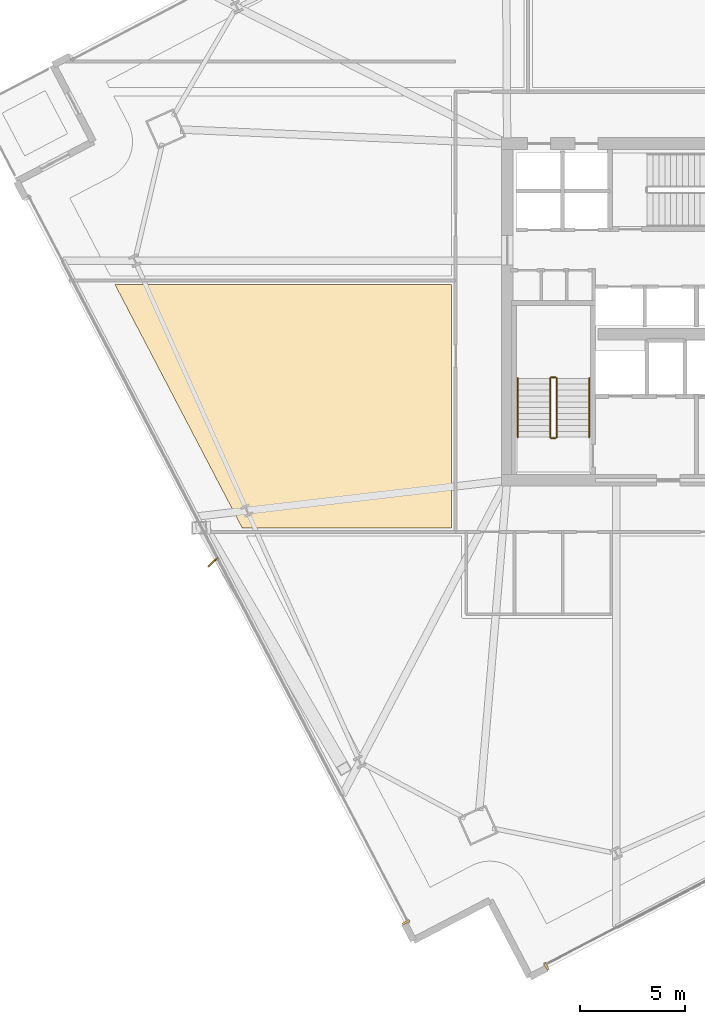
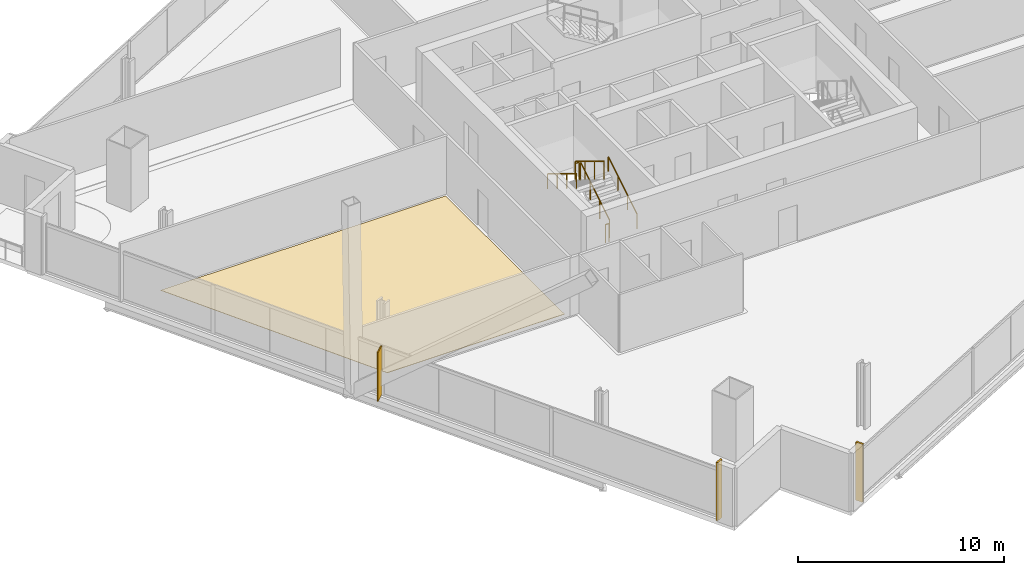
# One storey, part 29 of 33: 6 railings, 3 coverings, 1 shading device.
"""IFC4 building model written with IfcOpenShell, lengths in metres."""

from ifc_helpers import new_model, si_unit, direction, frame, origin, origin_2d, place, context, subcontext, project, spatial, polyline, rectangle, outline, extrude, source, transform, mapped, material, layer, layer_set, type_object, element, save


model = new_model("IFC4")

# Units and contexts
model_context = context("Model", 3, precision=1e-05, world=origin(), true_north=direction((0.0, 1.0)))
body_context = subcontext(model_context, "Body", "Model", "MODEL_VIEW")
ifc_project = project(units=[si_unit("LENGTHUNIT", "METRE"), si_unit("AREAUNIT", "SQUARE_METRE"), si_unit("VOLUMEUNIT", "CUBIC_METRE"), si_unit("PLANEANGLEUNIT", "RADIAN"), si_unit("MASSUNIT", "GRAM", prefix="KILO")], contexts=[model_context])

# Site, building, storey
site_placement = place(None, origin())
site = spatial("IfcSite", under=ifc_project, at=site_placement, CompositionType="ELEMENT")
building_placement = place(site_placement, origin())
building = spatial("IfcBuilding", under=site, at=building_placement, Name="Haldenkirk Collegiate Tower", CompositionType="ELEMENT")
storey_placement = place(building_placement, frame((0.0, 0.0, 120.449951171875)))
storey = spatial("IfcBuildingStorey", under=building, at=storey_placement, Name="L29", CompositionType="ELEMENT", Elevation=120.449951171875)

# Covering
ifc_material_1 = material(Name="Engineered collegiate oak acoustic flooring", Category="wood")
ifc_layer_1 = layer(ifc_material_1, 0.02197265625)
ifc_layer_set_1 = layer_set([ifc_layer_1], Name="Engineered collegiate oak acoustic flooring")
covering_type_1 = type_object("IfcCoveringType", Name="COV-FLOOR-TIMBER", PredefinedType="FLOORING", material=ifc_layer_set_1)
covering_placement = place(storey_placement, origin())
element("IfcCovering", 1, at=covering_placement, inside=storey, type_object=covering_type_1, Name="L29 academic room finish 05", PredefinedType="FLOORING", context=body_context, shape_type="SweptSolid", body=[
    extrude(outline(polyline([(8.3740234375, 27.300048828125), (24.35009765625, 27.300048828125), (24.35009765625, 15.75), (14.412109375, 15.75), (8.3740234375, 27.300048828125)])), origin(), (0.0, 0.0, 1.0), 0.02197265625),
])

# Railings
ifc_material_2 = material(Name="Painted architectural tubular steel", Category="steel")
railing_type_1 = type_object("IfcRailingType", Name="RLG-STAIR-GUARD-1100", PredefinedType="BALUSTRADE", material=ifc_material_2)
railing_1_placement = place(storey_placement, frame((29.35009765625, 20.050048828125, 0.17041015625)))
element("IfcRailing", 2, at=railing_1_placement, inside=storey, type_object=railing_type_1, Name="L29 ST-1 stair guard 1", PredefinedType="BALUSTRADE", context=body_context, shape_type="SweptSolid", body=[
    extrude(rectangle(XDim=0.048095703125, YDim=0.048095703125, at=origin_2d()), frame((0.0, 0.0, 1.076171875), z_axis=(0.0, 0.854169791009, 0.51999420009), x_axis=(-1.0, 0.0, 0.0)), (0.0, 0.0, 1.0), 3.278076171875),
    extrude(rectangle(XDim=0.0419921875, YDim=0.0419921875, at=origin_2d()), origin(), (0.0, 0.0, 1.0), 1.052001953125),
    extrude(rectangle(XDim=0.0419921875, YDim=0.0419921875, at=origin_2d()), frame((0.0, 0.933349609375, 0.568115234375)), (0.0, 0.0, 1.0), 1.052001953125),
    extrude(rectangle(XDim=0.0419921875, YDim=0.0419921875, at=origin_2d()), frame((0.0, 1.86669921875, 1.136474609375)), (0.0, 0.0, 1.0), 1.052001953125),
    extrude(rectangle(XDim=0.0419921875, YDim=0.0419921875, at=origin_2d()), frame((0.0, 2.800048828125, 1.70458984375)), (0.0, 0.0, 1.0), 1.052001953125),
])
railing_2_placement = place(storey_placement, frame((29.300048828125, 22.89990234375, 1.875)))
element("IfcRailing", 3, at=railing_2_placement, inside=storey, type_object=railing_type_1, Name="L29 ST-1 stair guard 2", PredefinedType="BALUSTRADE", context=body_context, shape_type="SweptSolid", body=[
    extrude(rectangle(XDim=0.048095703125, YDim=0.048095703125, at=origin_2d()), frame((0.0, 0.0, 1.076171875), z_axis=(-1.0, 0.0, 0.0), x_axis=(0.0, -1.0, 0.0)), (0.0, 0.0, 1.0), 0.199951171875),
    extrude(rectangle(XDim=0.0419921875, YDim=0.0419921875, at=origin_2d()), origin(), (0.0, 0.0, 1.0), 1.052001953125),
    extrude(rectangle(XDim=0.0419921875, YDim=0.0419921875, at=origin_2d()), frame((-0.199951171875, 0.0, 0.0)), (0.0, 0.0, 1.0), 1.052001953125),
])
railing_3_placement = place(storey_placement, frame((29.050048828125, 22.85009765625, 2.04541015625)))
element("IfcRailing", 4, at=railing_3_placement, inside=storey, type_object=railing_type_1, Name="L29 ST-1 stair guard 3", PredefinedType="BALUSTRADE", context=body_context, shape_type="SweptSolid", body=[
    extrude(rectangle(XDim=0.048095703125, YDim=0.048095703125, at=origin_2d()), frame((0.0, 0.0, 1.076171875), z_axis=(0.0, -0.854169791009, 0.51999420009), x_axis=(1.0, 0.0, 0.0)), (0.0, 0.0, 1.0), 3.278076171875),
    extrude(rectangle(XDim=0.0419921875, YDim=0.0419921875, at=origin_2d()), origin(), (0.0, 0.0, 1.0), 1.052001953125),
    extrude(rectangle(XDim=0.0419921875, YDim=0.0419921875, at=origin_2d()), frame((0.0, -0.933349609375, 0.568115234375)), (0.0, 0.0, 1.0), 1.052001953125),
    extrude(rectangle(XDim=0.0419921875, YDim=0.0419921875, at=origin_2d()), frame((0.0, -1.86669921875, 1.136474609375)), (0.0, 0.0, 1.0), 1.052001953125),
    extrude(rectangle(XDim=0.0419921875, YDim=0.0419921875, at=origin_2d()), frame((0.0, -2.800048828125, 1.70458984375)), (0.0, 0.0, 1.0), 1.052001953125),
])
railing_4_placement = place(storey_placement, frame((29.300048828125, 20.0, 0.0)))
element("IfcRailing", 5, at=railing_4_placement, inside=storey, type_object=railing_type_1, Name="L29 ST-1 stair guard 4", PredefinedType="BALUSTRADE", context=body_context, shape_type="SweptSolid", body=[
    extrude(rectangle(XDim=0.048095703125, YDim=0.048095703125, at=origin_2d()), frame((0.0, 0.0, 1.076171875), z_axis=(-1.0, 0.0, 0.0), x_axis=(0.0, -1.0, 0.0)), (0.0, 0.0, 1.0), 0.199951171875),
    extrude(rectangle(XDim=0.0419921875, YDim=0.0419921875, at=origin_2d()), origin(), (0.0, 0.0, 1.0), 1.052001953125),
    extrude(rectangle(XDim=0.0419921875, YDim=0.0419921875, at=origin_2d()), frame((-0.199951171875, 0.0, 0.0)), (0.0, 0.0, 1.0), 1.052001953125),
])
railing_type_2 = type_object("IfcRailingType", Name="RLG-STAIR-HANDRAIL-900", PredefinedType="HANDRAIL", material=ifc_material_2)
railing_5_placement = place(storey_placement, frame((30.89990234375, 20.050048828125, 0.17041015625)))
element("IfcRailing", 6, at=railing_5_placement, inside=storey, type_object=railing_type_2, Name="L29 ST-1 stair handrail 1", PredefinedType="HANDRAIL", context=body_context, shape_type="SweptSolid", body=[
    extrude(rectangle(XDim=0.048095703125, YDim=0.048095703125, at=origin_2d()), frame((0.0, 0.0, 0.8759765625), z_axis=(0.0, 0.854169791009, 0.51999420009), x_axis=(-1.0, 0.0, 0.0)), (0.0, 0.0, 1.0), 3.278076171875),
    extrude(rectangle(XDim=0.0419921875, YDim=0.0419921875, at=origin_2d()), origin(), (0.0, 0.0, 1.0), 0.851806640625),
    extrude(rectangle(XDim=0.0419921875, YDim=0.0419921875, at=origin_2d()), frame((0.0, 0.933349609375, 0.568115234375)), (0.0, 0.0, 1.0), 0.851806640625),
    extrude(rectangle(XDim=0.0419921875, YDim=0.0419921875, at=origin_2d()), frame((0.0, 1.86669921875, 1.136474609375)), (0.0, 0.0, 1.0), 0.851806640625),
    extrude(rectangle(XDim=0.0419921875, YDim=0.0419921875, at=origin_2d()), frame((0.0, 2.800048828125, 1.70458984375)), (0.0, 0.0, 1.0), 0.851806640625),
])
railing_6_placement = place(storey_placement, frame((27.5, 22.85009765625, 2.04541015625)))
element("IfcRailing", 7, at=railing_6_placement, inside=storey, type_object=railing_type_2, Name="L29 ST-1 stair handrail 2", PredefinedType="HANDRAIL", context=body_context, shape_type="SweptSolid", body=[
    extrude(rectangle(XDim=0.048095703125, YDim=0.048095703125, at=origin_2d()), frame((0.0, 0.0, 0.8759765625), z_axis=(0.0, -0.854169791009, 0.51999420009), x_axis=(1.0, 0.0, 0.0)), (0.0, 0.0, 1.0), 3.278076171875),
    extrude(rectangle(XDim=0.0419921875, YDim=0.0419921875, at=origin_2d()), origin(), (0.0, 0.0, 1.0), 0.851806640625),
    extrude(rectangle(XDim=0.0419921875, YDim=0.0419921875, at=origin_2d()), frame((0.0, -0.933349609375, 0.568115234375)), (0.0, 0.0, 1.0), 0.851806640625),
    extrude(rectangle(XDim=0.0419921875, YDim=0.0419921875, at=origin_2d()), frame((0.0, -1.86669921875, 1.136474609375)), (0.0, 0.0, 1.0), 0.851806640625),
    extrude(rectangle(XDim=0.0419921875, YDim=0.0419921875, at=origin_2d()), frame((0.0, -2.800048828125, 1.70458984375)), (0.0, 0.0, 1.0), 0.851806640625),
])

# Coverings
ifc_material_3 = material(Name="Anodised architectural bronze aluminium", Category="aluminium")
ifc_layer_2 = layer(ifc_material_3, 0.06005859375)
ifc_layer_set_2 = layer_set([ifc_layer_2], Name="Anodised architectural bronze aluminium")
covering_type_2 = type_object("IfcCoveringType", Name="COV-CLAD-BRONZE-60", PredefinedType="CLADDING", material=ifc_layer_set_2)
shared_shape_1 = source(origin(), body_context, "Body", "SweptSolid", [
    extrude(rectangle(XDim=0.10009765625, YDim=0.3798828125, at=origin_2d()), origin(), (0.0, 0.0, 1.0), 3.449951171875),
])
for number, where, z_axis, x_axis, name in (
    (8, (28.865966796875, -5.07666015625, 0.0), (0.0, 0.0, 1.0), (-0.886203579231, -0.46329603512, 0.0), "L29 recessed curtain-wall bronze jamb closure SJR"),
    (9, (22.19921875, -2.9873046875, 0.0), (0.0, 0.0, 1.0), (-0.46329603512, 0.886203579231, 0.0), "L29 recessed curtain-wall bronze jamb closure WJL"),
):
    element("IfcCovering", number, at=place(storey_placement, frame(where, z_axis=z_axis, x_axis=x_axis)), inside=storey, type_object=covering_type_2, Name=name, PredefinedType="CLADDING", context=body_context, shape_type="MappedRepresentation", body=[
        mapped(shared_shape_1, transform((0.0, 0.0, 0.0), x_axis=(1.0, 0.0, 0.0), y_axis=(0.0, 1.0, 0.0), z_axis=(0.0, 0.0, 1.0), scale=1.0)),
    ])

# Shading device
ifc_layer_3 = layer(ifc_material_3, 0.06494140625)
ifc_layer_set_3 = layer_set([ifc_layer_3], Name="Anodised architectural bronze aluminium")
shading_device_type = type_object("IfcShadingDeviceType", Name="SHD-FIN-BRONZE-620", PredefinedType="USERDEFINED", material=ifc_layer_set_3)
shared_shape_2 = source(origin(), body_context, "Body", "SweptSolid", [
    extrude(rectangle(XDim=0.6201171875, YDim=0.06494140625, at=origin_2d()), origin(), (0.0, 0.0, 1.0), 2.90087890625),
])
shading_device_placement = place(storey_placement, frame((13.026123046875, 14.11669921875, 0.0), z_axis=(0.0, 0.0, 1.0), x_axis=(-0.724171861437, -0.689619543736, 0.0)))
element("IfcShadingDevice", 10, at=shading_device_placement, inside=storey, type_object=shading_device_type, Name="L29 folded bronze solar fin 1", ObjectType="FIN", PredefinedType="USERDEFINED", context=body_context, shape_type="MappedRepresentation", body=[
    mapped(shared_shape_2, transform((0.0, 0.0, 0.0), x_axis=(1.0, 0.0, 0.0), y_axis=(0.0, 1.0, 0.0), z_axis=(0.0, 0.0, 1.0), scale=1.0)),
])

save(model, "model.ifc")
